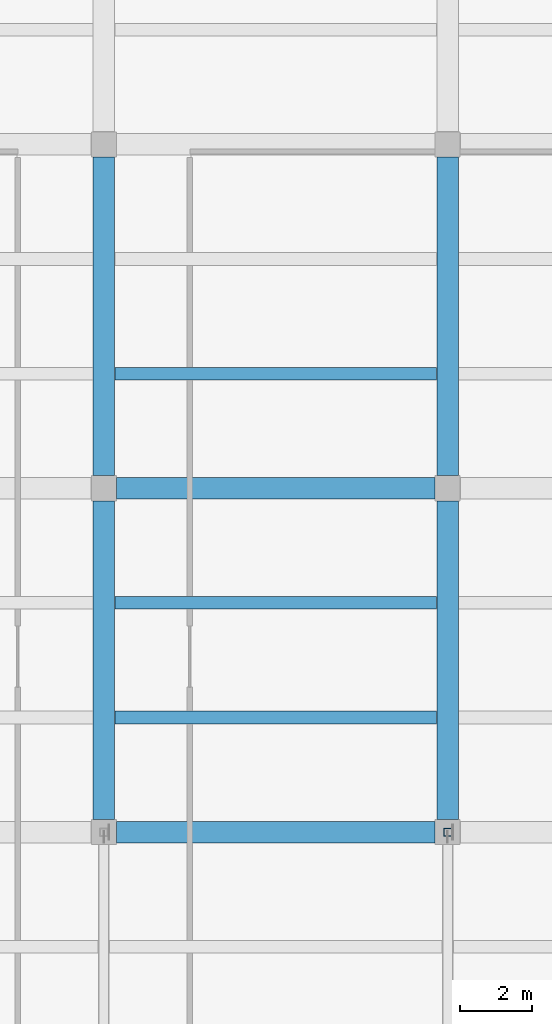
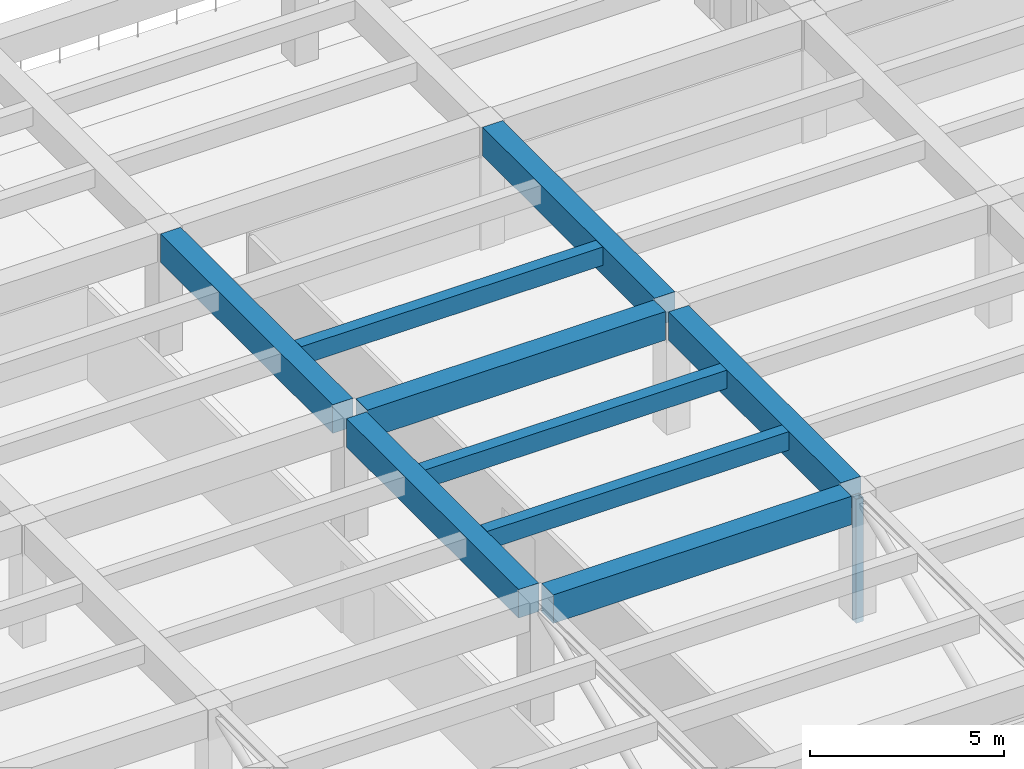
# One storey, part 16 of 62: 9 beams, 1 member.
"""IFC4 building model written with IfcOpenShell, lengths in metres."""

from ifc_helpers import new_model, si_unit, direction, frame, origin, origin_2d, place, context, subcontext, project, spatial, rectangle, hollow_rectangle, extrude, material, material_profile, profile_set, type_object, element, save


model = new_model("IFC4")

# Units and contexts
model_context = context("Model", 3, precision=1e-05, world=origin(), true_north=direction((0.0, 1.0)))
body_context = subcontext(model_context, "Body", "Model", "MODEL_VIEW")
ifc_project = project(units=[si_unit("LENGTHUNIT", "METRE"), si_unit("AREAUNIT", "SQUARE_METRE"), si_unit("VOLUMEUNIT", "CUBIC_METRE"), si_unit("PLANEANGLEUNIT", "RADIAN"), si_unit("MASSUNIT", "GRAM", prefix="KILO")], contexts=[model_context])

# Site, building, storey
site_placement = place(None, origin())
site = spatial("IfcSite", under=ifc_project, at=site_placement, CompositionType="ELEMENT")
building_placement = place(site_placement, origin())
building = spatial("IfcBuilding", under=site, at=building_placement, Name="Bempovik Park Faculty of Sciences", CompositionType="ELEMENT")
storey_placement = place(building_placement, frame((0.0, 0.0, 9.89990234375)))
storey = spatial("IfcBuildingStorey", under=building, at=storey_placement, Name="L02", CompositionType="ELEMENT", Elevation=9.89990234375)

# Beams
ifc_material_1 = material(Name="Concrete C35/45", Category="concrete")
ifc_material_profile_1 = material_profile(ifc_material_1, rectangle(XDim=0.35009765625, YDim=0.580078125, at=origin_2d()), Name="RC 350x580")
ifc_profile_set_1 = profile_set([ifc_material_profile_1], Name="Concrete C35/45")
beam_type_1 = type_object("IfcBeamType", Name="B-107 RC 350x580", PredefinedType="JOIST", material=ifc_profile_set_1)
for number, where, z_axis, x_axis, name in (
    (1, (89.10595703125, 42.199951171875, 3.610107421875), (1.0, 0.0, 0.0), (0.0, 1.0, 0.0), "L02 Secondary Joist (88.8-98.4, y=42.20)"),
    (2, (89.10595703125, 45.39990234375, 3.610107421875), (1.0, 0.0, 0.0), (0.0, 1.0, 0.0), "L02 Secondary Joist (88.8-98.4, y=45.40)"),
    (3, (89.10595703125, 51.800048828125, 3.610107421875), (1.0, 0.0, 0.0), (0.0, 1.0, 0.0), "L02 Secondary Joist (88.8-98.4, y=51.80)"),
):
    element("IfcBeam", number, at=place(storey_placement, frame(where, z_axis=z_axis, x_axis=x_axis)), inside=storey, type_object=beam_type_1, Name=name, PredefinedType="JOIST", context=body_context, shape_type="SweptSolid", body=[
        extrude(rectangle(XDim=0.35009765625, YDim=0.580078125, at=origin_2d()), origin(), (0.0, 0.0, 1.0), 8.988037109375),
    ])
ifc_material_2 = material(Name="Concrete C40/50", Category="concrete")
ifc_material_profile_2 = material_profile(ifc_material_2, rectangle(XDim=0.60009765625, YDim=0.89990234375, at=origin_2d()), Name="RC 600x900")
ifc_profile_set_2 = profile_set([ifc_material_profile_2], Name="Concrete C40/50")
beam_type_2 = type_object("IfcBeamType", Name="B-115 RC 600x900", PredefinedType="BEAM", material=ifc_profile_set_2)
for number, where, z_axis, x_axis, name in (
    (4, (89.156005859375, 39.0, 3.4501953125), (1.0, 0.0, 0.0), (0.0, 1.0, 0.0), "L02 Beam X (88.8-98.4, y=39.0)"),
    (5, (89.156005859375, 48.60009765625, 3.4501953125), (1.0, 0.0, 0.0), (0.0, 1.0, 0.0), "L02 Beam X (88.8-98.4, y=48.6)"),
    (6, (88.800048828125, 39.35595703125, 3.4501953125), (0.0, 1.0, 0.0), (-1.0, 0.0, 0.0), "L02 Beam Y (x=88.8, 39.0-48.6)"),
    (7, (88.800048828125, 48.9560546875, 3.4501953125), (0.0, 1.0, 0.0), (-1.0, 0.0, 0.0), "L02 Beam Y (x=88.8, 48.6-58.2)"),
    (8, (98.39990234375, 39.35595703125, 3.4501953125), (0.0, 1.0, 0.0), (-1.0, 0.0, 0.0), "L02 Beam Y (x=98.4, 39.0-48.6)"),
    (9, (98.39990234375, 48.9560546875, 3.4501953125), (0.0, 1.0, 0.0), (-1.0, 0.0, 0.0), "L02 Beam Y (x=98.4, 48.6-58.2)"),
):
    element("IfcBeam", number, at=place(storey_placement, frame(where, z_axis=z_axis, x_axis=x_axis)), inside=storey, type_object=beam_type_2, Name=name, PredefinedType="BEAM", context=body_context, shape_type="SweptSolid", body=[
        extrude(rectangle(XDim=0.60009765625, YDim=0.89990234375, at=origin_2d()), origin(), (0.0, 0.0, 1.0), 8.887939453125),
    ])

# Member
ifc_material_3 = material(Name="Steel S355", Category="steel")
ifc_material_profile_3 = material_profile(ifc_material_3, hollow_rectangle(XDim=0.219970703125, YDim=0.219970703125, WallThickness=0.010009765625, at=origin_2d()), Name="SHS 220x220x10")
ifc_profile_set_3 = profile_set([ifc_material_profile_3], Name="Steel S355")
member_type = type_object("IfcMemberType", Name="M-32 SHS 220x220x10", PredefinedType="POST", material=ifc_profile_set_3)
member_placement = place(storey_placement, frame((98.39990234375, 39.0, -0.31396484375), z_axis=(0.0, 0.0, 1.0), x_axis=(1.0, 0.0, 0.0)))
element("IfcMember", 10, at=member_placement, inside=storey, type_object=member_type, Name="Cantilever Truss 5 L02 Post 5", PredefinedType="POST", context=body_context, shape_type="SweptSolid", body=[
    extrude(hollow_rectangle(XDim=0.219970703125, YDim=0.219970703125, WallThickness=0.010009765625, at=origin_2d()), origin(), (0.0, 0.0, 1.0), 3.907958984375),
])

save(model, "model.ifc")
